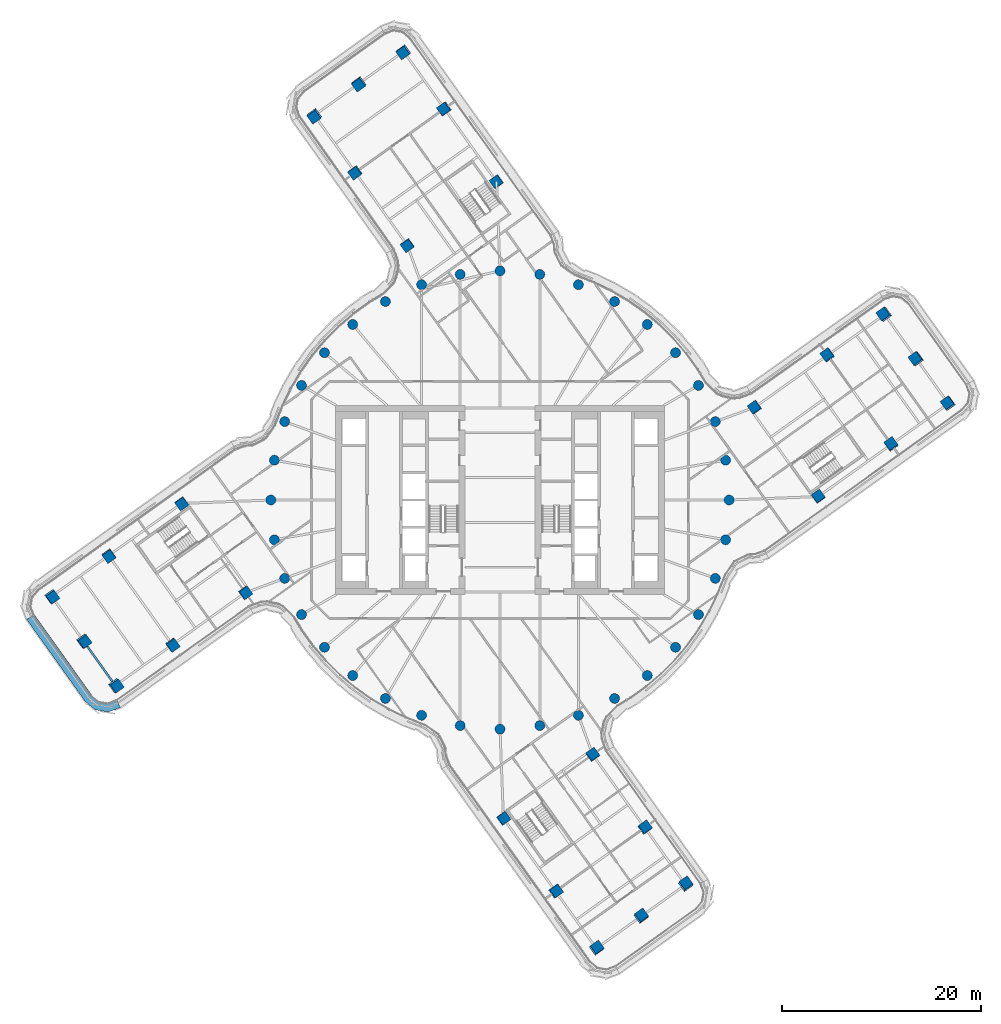
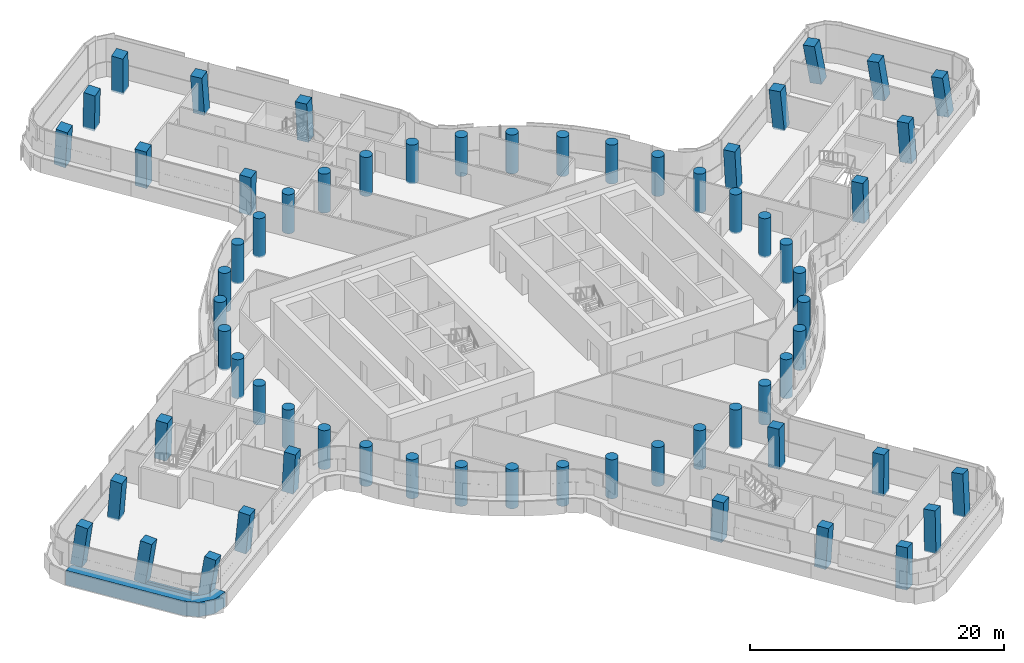
# One storey, part 1 of 31: 64 columns, 1 beam, 1 member, 1 element without a shape of its own.
"""IFC4 building model written with IfcOpenShell, lengths in metres."""

import ifcopenshell
import ifcopenshell.guid

model = None  # the IFC model being written
_history = None  # IfcOwnerHistory: only IFC2X3 demands one
_inside = {}  # id of a spatial element -> (the spatial element, [elements in it])
_under = {}  # id of a project, library or spatial element -> (it, [spatial elements below it])
_declared = {}  # id of a project -> (the project, [libraries it declares])
_typed = {}  # id of a type object -> (the type object, [elements of that type])
_made_of = {}  # id of a material, layer set ... -> (it, [elements and type objects made of it])


def new_model(schema):
    """Start an empty IFC model of exactly this schema.

    Asked for "IFC4X3", IfcOpenShell would pick the latest addendum, in which some entities
    have other attributes; the version numbers below select the first issue.
    IFC2X3 requires an IfcOwnerHistory on every rooted entity: one is made here for all.
    """
    global model, _history
    if schema == "IFC4X3":
        model = ifcopenshell.file(schema_version=(4, 3, 0, 0))
    else:
        model = ifcopenshell.file(schema=schema)
    _inside.clear()
    _under.clear()
    _declared.clear()
    _typed.clear()
    _made_of.clear()
    _history = None
    if model.schema == "IFC2X3":
        org = make("IfcOrganization", Name="unknown")
        user = make(
            "IfcPersonAndOrganization",
            ThePerson=make("IfcPerson", FamilyName="unknown"),
            TheOrganization=org,
        )
        app = make(
            "IfcApplication",
            ApplicationDeveloper=org,
            Version="unknown",
            ApplicationFullName="unknown",
            ApplicationIdentifier="unknown",
        )
        _history = make(
            "IfcOwnerHistory",
            OwningUser=user,
            OwningApplication=app,
            ChangeAction="ADDED",
            CreationDate=0,
        )
    return model


def make(cls, **values):
    """One entity of the class cls with the attributes given. An attribute that is None is left unset."""
    return model.create_entity(
        cls, **{name: value for name, value in values.items() if value is not None}
    )


def rooted(cls, **values):
    """An entity with a GlobalId (a new one), such as an element, a storey or a relation."""
    return make(cls, GlobalId=ifcopenshell.guid.new(), OwnerHistory=_history, **values)


def si_unit(unit_type, name, prefix=None):
    """IfcSIUnit, for example si_unit("LENGTHUNIT", "METRE", prefix="MILLI")."""
    return make("IfcSIUnit", UnitType=unit_type, Prefix=prefix, Name=name)


def assignment(units):
    """IfcUnitAssignment: the units of a project."""
    return None if units is None else make("IfcUnitAssignment", Units=units)


def point(xyz):
    """IfcCartesianPoint."""
    return None if xyz is None else make("IfcCartesianPoint", Coordinates=xyz)


def direction(xyz):
    """IfcDirection."""
    return None if xyz is None else make("IfcDirection", DirectionRatios=xyz)


def frame(location, z_axis=None, x_axis=None):
    """IfcAxis2Placement3D, a coordinate frame: its origin and axes. An axis left out is left unset."""
    return make(
        "IfcAxis2Placement3D",
        Location=point(location),
        Axis=direction(z_axis),
        RefDirection=direction(x_axis),
    )


def frame_2d(location, x_axis=None):
    """IfcAxis2Placement2D, a coordinate frame in the plane: its origin and x axis."""
    return make(
        "IfcAxis2Placement2D", Location=point(location), RefDirection=direction(x_axis)
    )


def origin():
    """The frame at (0, 0, 0) with its axes left unset."""
    return frame((0.0, 0.0, 0.0))


def origin_2d():
    """The frame at (0, 0) in the plane with its x axis left unset."""
    return frame_2d((0.0, 0.0))


def place(relative_to, where):
    """IfcLocalPlacement: puts the frame where relative to a parent placement (None: the world)."""
    return make(
        "IfcLocalPlacement", PlacementRelTo=relative_to, RelativePlacement=where
    )


def context(
    kind, dimensions, precision=None, world=None, true_north=None, identifier=None
):
    """IfcGeometricRepresentationContext, for example the 3D "Model" context."""
    return make(
        "IfcGeometricRepresentationContext",
        ContextIdentifier=identifier,
        ContextType=kind,
        CoordinateSpaceDimension=dimensions,
        Precision=precision,
        WorldCoordinateSystem=world,
        TrueNorth=true_north,
    )


def subcontext(parent, identifier, kind, view, scale=None):
    """IfcGeometricRepresentationSubContext, for example "Body" below "Model"."""
    return make(
        "IfcGeometricRepresentationSubContext",
        ContextIdentifier=identifier,
        ContextType=kind,
        ParentContext=parent,
        TargetScale=scale,
        TargetView=view,
    )


def project(units=None, contexts=None):
    """IfcProject with its units and contexts."""
    return rooted(
        "IfcProject",
        Name="project",
        RepresentationContexts=contexts,
        UnitsInContext=assignment(units),
    )


def spatial(cls, under=None, at=None, **own):
    """A site, building, storey or space (cls), placed at a placement, below another one or the project."""
    s = rooted(cls, ObjectPlacement=at, **own)
    if under is not None:
        _under.setdefault(under.id(), (under, []))[1].append(s)
    return s


def polyline(points):
    """IfcPolyline through the points."""
    return make("IfcPolyline", Points=[point(p) for p in points])


def profile(cls, at=None, kind="AREA", **sizes):
    """A parametric profile (cls). Its sizes go by their IFC names, for example OverallWidth=200.0."""
    return make(cls, ProfileType=kind, Position=at, **sizes)


def rectangle(**sizes):
    """IfcRectangleProfileDef."""
    return profile("IfcRectangleProfileDef", **sizes)


def circle(**sizes):
    """IfcCircleProfileDef."""
    return profile("IfcCircleProfileDef", **sizes)


def i_section(**sizes):
    """IfcIShapeProfileDef."""
    return profile("IfcIShapeProfileDef", **sizes)


def outline(outer, holes=None, kind="AREA"):
    """IfcArbitraryClosedProfileDef: a profile drawn as a closed curve; with holes, ...WithVoids."""
    if holes is None:
        return make("IfcArbitraryClosedProfileDef", ProfileType=kind, OuterCurve=outer)
    return make(
        "IfcArbitraryProfileDefWithVoids",
        ProfileType=kind,
        OuterCurve=outer,
        InnerCurves=holes,
    )


def extrude(swept, where, along, depth):
    """IfcExtrudedAreaSolid: the profile swept, set in the frame where, extruded along a direction by depth."""
    return make(
        "IfcExtrudedAreaSolid",
        SweptArea=swept,
        Position=where,
        ExtrudedDirection=direction(along),
        Depth=depth,
    )


def shape(context_of_items, identifier, shape_type, items):
    """IfcShapeRepresentation: the items that make up one representation, for example the "Body"."""
    return make(
        "IfcShapeRepresentation",
        ContextOfItems=context_of_items,
        RepresentationIdentifier=identifier,
        RepresentationType=shape_type,
        Items=items,
    )


def material(Name=None, Category=None):
    """IfcMaterial."""
    return make("IfcMaterial", Name=Name, Category=Category)


def layer(
    of_material, thickness, ventilated=None, Name=None, Category=None, Priority=None
):
    """IfcMaterialLayer: one layer of a wall or slab, of a material (None: an air gap)."""
    return make(
        "IfcMaterialLayer",
        Material=of_material,
        LayerThickness=thickness,
        IsVentilated=ventilated,
        Name=Name,
        Category=Category,
        Priority=Priority,
    )


def layer_set(layers, Name=None):
    """IfcMaterialLayerSet."""
    return make("IfcMaterialLayerSet", MaterialLayers=layers, LayerSetName=Name)


def material_profile(
    of_material, cross_section, Name=None, Category=None, Priority=None
):
    """IfcMaterialProfile: a cross section and its material."""
    return make(
        "IfcMaterialProfile",
        Name=Name,
        Material=of_material,
        Profile=cross_section,
        Priority=Priority,
        Category=Category,
    )


def profile_set(profiles, Name=None, composite=None):
    """IfcMaterialProfileSet."""
    return make(
        "IfcMaterialProfileSet",
        Name=Name,
        MaterialProfiles=profiles,
        CompositeProfile=composite,
    )


def made_of(thing, what):
    """Note that an element or type object is made of a material, layer set ...; save() writes the relation."""
    if what is not None:
        _made_of.setdefault(what.id(), (what, []))[1].append(thing)
    return thing


def type_object(cls, material=None, **own):
    """A type object (cls), such as IfcWallType, which elements share."""
    return made_of(rooted(cls, **own), material)


def element(
    cls,
    number,
    at=None,
    inside=None,
    cuts=None,
    type_object=None,
    material=None,
    context=None,
    identifier="Body",
    shape_type=None,
    held_by="IfcProductDefinitionShape",
    body=None,
    shapes=None,
    **own,
):
    """One element of the class cls, such as IfcWall. Its Tag is "e" and its number.

    at: its placement. inside: the storey or other place that contains it. cuts: it is an
    opening in that element (IfcRelVoidsElement). A single representation is given by context,
    identifier, shape_type and body (its items); several are given by shapes. held_by: the class
    of the entity that holds the representations. save() writes the other relations.
    """
    e = rooted(cls, Tag="e%d" % number, ObjectPlacement=at, **own)
    if body is not None:
        shapes = [shape(context, identifier, shape_type, body)]
    if shapes is not None:
        e.Representation = make(held_by, Representations=shapes)
    if inside is not None:
        _inside.setdefault(inside.id(), (inside, []))[1].append(e)
    if cuts is not None:
        rooted(
            "IfcRelVoidsElement", RelatingBuildingElement=cuts, RelatedOpeningElement=e
        )
    if type_object is not None:
        _typed.setdefault(type_object.id(), (type_object, []))[1].append(e)
    return made_of(e, material)


def aggregate(whole, parts):
    """IfcRelAggregates: a whole, such as a stair, and the parts it consists of."""
    return rooted("IfcRelAggregates", RelatingObject=whole, RelatedObjects=parts)


def save(model, path):
    """Write the relations noted so far, then the file.

    IfcRelAggregates (storeys below a building ...), IfcRelContainedInSpatialStructure (elements
    in a storey), IfcRelDefinesByType, IfcRelAssociatesMaterial and IfcRelDeclares: one each for
    every whole, place, type object, material and project.
    """
    for whole, parts in _under.values():
        aggregate(whole, parts)
    for where, things in _inside.values():
        rooted(
            "IfcRelContainedInSpatialStructure",
            RelatedElements=things,
            RelatingStructure=where,
        )
    for kind, things in _typed.values():
        rooted("IfcRelDefinesByType", RelatedObjects=things, RelatingType=kind)
    for what, things in _made_of.values():
        rooted("IfcRelAssociatesMaterial", RelatedObjects=things, RelatingMaterial=what)
    for by, libraries in _declared.values():
        rooted("IfcRelDeclares", RelatingContext=by, RelatedDefinitions=libraries)
    model.write(path)


model = new_model("IFC4")

# Units and contexts
model_context = context("Model", 3, precision=1e-05, world=origin(), true_north=direction((0.0, 1.0)))
body_context = subcontext(model_context, "Body", "Model", "MODEL_VIEW")
ifc_project = project(units=[si_unit("LENGTHUNIT", "METRE"), si_unit("AREAUNIT", "SQUARE_METRE"), si_unit("VOLUMEUNIT", "CUBIC_METRE"), si_unit("PLANEANGLEUNIT", "RADIAN"), si_unit("MASSUNIT", "GRAM", prefix="KILO")], contexts=[model_context])

# Site, building, storey
site_placement = place(None, origin())
site = spatial("IfcSite", under=ifc_project, at=site_placement, CompositionType="ELEMENT")
building_placement = place(site_placement, origin())
building = spatial("IfcBuilding", under=site, at=building_placement, Name="Tamarind Cross Interchange Tower", CompositionType="ELEMENT")
storey_placement = place(building_placement, frame((0.0, 0.0, 163.0)))
storey = spatial("IfcBuildingStorey", under=building, at=storey_placement, Name="L40", CompositionType="ELEMENT", Elevation=163.0)

# Columns
ifc_material_1 = material(Name="Concrete C60", Category="concrete")
ifc_material_profile_1 = material_profile(ifc_material_1, rectangle(XDim=1.0, YDim=1.0, at=origin_2d()), Name="RC 1000x1000")
ifc_profile_set_1 = profile_set([ifc_material_profile_1], Name="Concrete C60")
column_type_1 = type_object("IfcColumnType", Name="Column RC 1000x1000 Concrete C60", PredefinedType="COLUMN", material=ifc_profile_set_1)
for number, where, z_axis, x_axis, name in (
    (1, (32.88427734375, 14.5283203125, -0.138427734375), (-0.070813721979, 0.052055549979, 0.996130331079), (0.578043529555, -0.811721357001, 0.083511176064), "Column L40-036"),
    (2, (39.27587890625, 5.57568359375, -0.138427734375), (-0.027780214497, 0.083405550533, 0.996128392238), (-0.814114333122, -0.580128094967, 0.025869790021), "Column L40-037"),
):
    element("IfcColumn", number, at=place(storey_placement, frame(where, z_axis=z_axis, x_axis=x_axis)), inside=storey, type_object=column_type_1, Name=name, PredefinedType="COLUMN", context=body_context, shape_type="SweptSolid", body=[
        extrude(rectangle(XDim=1.0, YDim=1.0, at=origin_2d()), origin(), (0.0, 0.0, 1.0), 3.761474609375),
    ])
for number, where, z_axis, x_axis, name in (
    (3, (25.5595703125, 9.298828125, -0.138671875), (-0.045356883654, 0.016919354017, 0.998827556971), (0.579654184092, -0.813874885655, 0.040108569717), "Column L40-038"),
    (4, (31.950927734375, 0.34619140625, -0.138671875), (-0.002147457704, 0.04835033557, 0.998828130098), (-0.813624962076, -0.580791958931, 0.026365157452), "Column L40-039"),
):
    element("IfcColumn", number, at=place(storey_placement, frame(where, z_axis=z_axis, x_axis=x_axis)), inside=storey, type_object=column_type_1, Name=name, PredefinedType="COLUMN", context=body_context, shape_type="SweptSolid", body=[
        extrude(rectangle(XDim=1.0, YDim=1.0, at=origin_2d()), origin(), (0.0, 0.0, 1.0), 3.751708984375),
    ])
column_1_placement = place(storey_placement, frame((45.0087890625, 9.668701171875, -0.137939453125), z_axis=(-0.105136576826, 0.067892623411, 0.992137536786), x_axis=(0.574830004722, -0.8099600656, 0.116340697117)))
element("IfcColumn", 5, at=column_1_placement, inside=storey, type_object=column_type_1, Name="Column L40-040", PredefinedType="COLUMN", context=body_context, shape_type="SweptSolid", body=[
    extrude(rectangle(XDim=1.0, YDim=1.0, at=origin_2d()), origin(), (0.0, 0.0, 1.0), 3.77587890625),
])
column_2_placement = place(storey_placement, frame((41.813232421875, 14.14501953125, -0.137939453125), z_axis=(-0.126479734924, 0.052167241357, 0.990596515027), x_axis=(0.574013300302, -0.810591048044, 0.115977945781)))
element("IfcColumn", 6, at=column_2_placement, inside=storey, type_object=column_type_1, Name="Column L40-041", PredefinedType="COLUMN", context=body_context, shape_type="SweptSolid", body=[
    extrude(rectangle(XDim=1.0, YDim=1.0, at=origin_2d()), origin(), (0.0, 0.0, 1.0), 3.781494140625),
])
column_3_placement = place(storey_placement, frame((38.617431640625, 18.621337890625, -0.1376953125), z_axis=(-0.147529451739, 0.036528034557, 0.988382903313), x_axis=(0.572538563256, -0.811707534397, 0.11545766405)))
element("IfcColumn", 7, at=column_3_placement, inside=storey, type_object=column_type_1, Name="Column L40-042", PredefinedType="COLUMN", context=body_context, shape_type="SweptSolid", body=[
    extrude(rectangle(XDim=1.0, YDim=1.0, at=origin_2d()), origin(), (0.0, 0.0, 1.0), 3.78955078125),
])
for number, where, z_axis, x_axis, name in (
    (8, (-14.5283203125, 32.88427734375, -0.138427734375), (-0.052055549979, -0.070813721979, 0.996130331079), (0.811721357001, 0.578043529555, 0.083511176064), "Column L40-043"),
    (9, (-5.57568359375, 39.27587890625, -0.138427734375), (-0.083405550533, -0.027780214497, 0.996128392238), (0.580128094967, -0.814114333122, 0.025869790021), "Column L40-044"),
):
    element("IfcColumn", number, at=place(storey_placement, frame(where, z_axis=z_axis, x_axis=x_axis)), inside=storey, type_object=column_type_1, Name=name, PredefinedType="COLUMN", context=body_context, shape_type="SweptSolid", body=[
        extrude(rectangle(XDim=1.0, YDim=1.0, at=origin_2d()), origin(), (0.0, 0.0, 1.0), 3.761474609375),
    ])
for number, where, z_axis, x_axis, name in (
    (10, (-9.298828125, 25.5595703125, -0.138671875), (-0.016919354017, -0.045356883654, 0.998827556971), (0.813874885655, 0.579654184092, 0.040108569717), "Column L40-045"),
    (11, (-0.34619140625, 31.950927734375, -0.138671875), (-0.04835033557, -0.002147457704, 0.998828130098), (0.580791958931, -0.813624962076, 0.026365157452), "Column L40-046"),
):
    element("IfcColumn", number, at=place(storey_placement, frame(where, z_axis=z_axis, x_axis=x_axis)), inside=storey, type_object=column_type_1, Name=name, PredefinedType="COLUMN", context=body_context, shape_type="SweptSolid", body=[
        extrude(rectangle(XDim=1.0, YDim=1.0, at=origin_2d()), origin(), (0.0, 0.0, 1.0), 3.751708984375),
    ])
column_4_placement = place(storey_placement, frame((-9.668701171875, 45.0087890625, -0.137939453125), z_axis=(-0.067892623411, -0.105136576826, 0.992137536786), x_axis=(0.8099600656, 0.574830004722, 0.116340697117)))
element("IfcColumn", 12, at=column_4_placement, inside=storey, type_object=column_type_1, Name="Column L40-047", PredefinedType="COLUMN", context=body_context, shape_type="SweptSolid", body=[
    extrude(rectangle(XDim=1.0, YDim=1.0, at=origin_2d()), origin(), (0.0, 0.0, 1.0), 3.77587890625),
])
column_5_placement = place(storey_placement, frame((-14.14501953125, 41.813232421875, -0.137939453125), z_axis=(-0.052167241357, -0.126479734924, 0.990596515027), x_axis=(0.810591048044, 0.574013300302, 0.115977945781)))
element("IfcColumn", 13, at=column_5_placement, inside=storey, type_object=column_type_1, Name="Column L40-048", PredefinedType="COLUMN", context=body_context, shape_type="SweptSolid", body=[
    extrude(rectangle(XDim=1.0, YDim=1.0, at=origin_2d()), origin(), (0.0, 0.0, 1.0), 3.781494140625),
])
column_6_placement = place(storey_placement, frame((-18.621337890625, 38.617431640625, -0.1376953125), z_axis=(-0.036528034557, -0.147529451739, 0.988382903313), x_axis=(0.811707534397, 0.572538563256, 0.11545766405)))
element("IfcColumn", 14, at=column_6_placement, inside=storey, type_object=column_type_1, Name="Column L40-049", PredefinedType="COLUMN", context=body_context, shape_type="SweptSolid", body=[
    extrude(rectangle(XDim=1.0, YDim=1.0, at=origin_2d()), origin(), (0.0, 0.0, 1.0), 3.78955078125),
])
for number, where, z_axis, x_axis, name in (
    (15, (-32.88427734375, -14.5283203125, -0.138427734375), (0.070813721979, -0.052055549979, 0.996130331079), (-0.578043529555, 0.811721357001, 0.083511176064), "Column L40-050"),
    (16, (-39.27587890625, -5.57568359375, -0.138427734375), (0.027780214497, -0.083405550533, 0.996128392238), (0.814114333122, 0.580128094967, 0.025869790021), "Column L40-051"),
):
    element("IfcColumn", number, at=place(storey_placement, frame(where, z_axis=z_axis, x_axis=x_axis)), inside=storey, type_object=column_type_1, Name=name, PredefinedType="COLUMN", context=body_context, shape_type="SweptSolid", body=[
        extrude(rectangle(XDim=1.0, YDim=1.0, at=origin_2d()), origin(), (0.0, 0.0, 1.0), 3.761474609375),
    ])
for number, where, z_axis, x_axis, name in (
    (17, (-25.5595703125, -9.298828125, -0.138671875), (0.045356883654, -0.016919354017, 0.998827556971), (-0.579654184092, 0.813874885655, 0.040108569717), "Column L40-052"),
    (18, (-31.950927734375, -0.34619140625, -0.138671875), (0.002147457704, -0.04835033557, 0.998828130098), (0.813624962076, 0.580791958931, 0.026365157452), "Column L40-053"),
):
    element("IfcColumn", number, at=place(storey_placement, frame(where, z_axis=z_axis, x_axis=x_axis)), inside=storey, type_object=column_type_1, Name=name, PredefinedType="COLUMN", context=body_context, shape_type="SweptSolid", body=[
        extrude(rectangle(XDim=1.0, YDim=1.0, at=origin_2d()), origin(), (0.0, 0.0, 1.0), 3.751708984375),
    ])
column_7_placement = place(storey_placement, frame((-45.0087890625, -9.668701171875, -0.137939453125), z_axis=(0.105136576826, -0.067892623411, 0.992137536786), x_axis=(-0.574830004722, 0.8099600656, 0.116340697117)))
element("IfcColumn", 19, at=column_7_placement, inside=storey, type_object=column_type_1, Name="Column L40-054", PredefinedType="COLUMN", context=body_context, shape_type="SweptSolid", body=[
    extrude(rectangle(XDim=1.0, YDim=1.0, at=origin_2d()), origin(), (0.0, 0.0, 1.0), 3.77587890625),
])
column_8_placement = place(storey_placement, frame((-41.813232421875, -14.14501953125, -0.137939453125), z_axis=(0.126479734924, -0.052167241357, 0.990596515027), x_axis=(-0.574013300302, 0.810591048044, 0.115977945781)))
element("IfcColumn", 20, at=column_8_placement, inside=storey, type_object=column_type_1, Name="Column L40-055", PredefinedType="COLUMN", context=body_context, shape_type="SweptSolid", body=[
    extrude(rectangle(XDim=1.0, YDim=1.0, at=origin_2d()), origin(), (0.0, 0.0, 1.0), 3.781494140625),
])
column_9_placement = place(storey_placement, frame((-38.617431640625, -18.621337890625, -0.1376953125), z_axis=(0.147529451739, -0.036528034557, 0.988382903313), x_axis=(-0.572538563256, 0.811707534397, 0.11545766405)))
element("IfcColumn", 21, at=column_9_placement, inside=storey, type_object=column_type_1, Name="Column L40-056", PredefinedType="COLUMN", context=body_context, shape_type="SweptSolid", body=[
    extrude(rectangle(XDim=1.0, YDim=1.0, at=origin_2d()), origin(), (0.0, 0.0, 1.0), 3.78955078125),
])
for number, where, z_axis, x_axis, name in (
    (22, (14.5283203125, -32.88427734375, -0.138427734375), (0.052055549979, 0.070813721979, 0.996130331079), (-0.811721357001, -0.578043529555, 0.083511176064), "Column L40-057"),
    (23, (5.57568359375, -39.27587890625, -0.138427734375), (0.083405550533, 0.027780214497, 0.996128392238), (-0.580128094967, 0.814114333122, 0.025869790021), "Column L40-058"),
):
    element("IfcColumn", number, at=place(storey_placement, frame(where, z_axis=z_axis, x_axis=x_axis)), inside=storey, type_object=column_type_1, Name=name, PredefinedType="COLUMN", context=body_context, shape_type="SweptSolid", body=[
        extrude(rectangle(XDim=1.0, YDim=1.0, at=origin_2d()), origin(), (0.0, 0.0, 1.0), 3.761474609375),
    ])
for number, where, z_axis, x_axis, name in (
    (24, (9.298828125, -25.5595703125, -0.138671875), (0.016919354017, 0.045356883654, 0.998827556971), (-0.813874885655, -0.579654184092, 0.040108569717), "Column L40-059"),
    (25, (0.34619140625, -31.950927734375, -0.138671875), (0.04835033557, 0.002147457704, 0.998828130098), (-0.580791958931, 0.813624962076, 0.026365157452), "Column L40-060"),
):
    element("IfcColumn", number, at=place(storey_placement, frame(where, z_axis=z_axis, x_axis=x_axis)), inside=storey, type_object=column_type_1, Name=name, PredefinedType="COLUMN", context=body_context, shape_type="SweptSolid", body=[
        extrude(rectangle(XDim=1.0, YDim=1.0, at=origin_2d()), origin(), (0.0, 0.0, 1.0), 3.751708984375),
    ])
column_10_placement = place(storey_placement, frame((9.668701171875, -45.0087890625, -0.137939453125), z_axis=(0.067892623411, 0.105136576826, 0.992137536786), x_axis=(-0.8099600656, -0.574830004722, 0.116340697117)))
element("IfcColumn", 26, at=column_10_placement, inside=storey, type_object=column_type_1, Name="Column L40-061", PredefinedType="COLUMN", context=body_context, shape_type="SweptSolid", body=[
    extrude(rectangle(XDim=1.0, YDim=1.0, at=origin_2d()), origin(), (0.0, 0.0, 1.0), 3.77587890625),
])
column_11_placement = place(storey_placement, frame((14.14501953125, -41.813232421875, -0.137939453125), z_axis=(0.052167241357, 0.126479734924, 0.990596515027), x_axis=(-0.810591048044, -0.574013300302, 0.115977945781)))
element("IfcColumn", 27, at=column_11_placement, inside=storey, type_object=column_type_1, Name="Column L40-062", PredefinedType="COLUMN", context=body_context, shape_type="SweptSolid", body=[
    extrude(rectangle(XDim=1.0, YDim=1.0, at=origin_2d()), origin(), (0.0, 0.0, 1.0), 3.781494140625),
])
column_12_placement = place(storey_placement, frame((18.621337890625, -38.617431640625, -0.1376953125), z_axis=(0.036528034557, 0.147529451739, 0.988382903313), x_axis=(-0.811707534397, -0.572538563256, 0.11545766405)))
element("IfcColumn", 28, at=column_12_placement, inside=storey, type_object=column_type_1, Name="Column L40-063", PredefinedType="COLUMN", context=body_context, shape_type="SweptSolid", body=[
    extrude(rectangle(XDim=1.0, YDim=1.0, at=origin_2d()), origin(), (0.0, 0.0, 1.0), 3.78955078125),
])
ifc_material_profile_2 = material_profile(ifc_material_1, circle(Radius=0.5, at=origin_2d()), Name="RC D1000")
ifc_profile_set_2 = profile_set([ifc_material_profile_2], Name="Concrete C60")
column_type_2 = type_object("IfcColumnType", Name="Column RC D1000 Concrete C60", PredefinedType="COLUMN", material=ifc_profile_set_2)
for number, where, z_axis, x_axis, name in (
    (29, (23.0, 0.0, -0.139892578125), (0.0, 0.0, 1.0), (1.0, 0.0, 0.0), "Column L40-000"),
    (30, (22.650634765625, 3.993896484375, -0.139892578125), (0.0, 0.0, 1.0), (1.0, 0.0, 0.0), "Column L40-001"),
    (31, (21.613037109375, 7.866455078125, -0.139892578125), (0.0, 0.0, 1.0), (1.0, 0.0, 0.0), "Column L40-002"),
    (32, (19.918701171875, 11.5, -0.139892578125), (0.0, 0.0, 1.0), (1.0, 0.0, 0.0), "Column L40-003"),
    (33, (17.619140625, 14.7841796875, -0.139892578125), (0.0, 0.0, 1.0), (1.0, 0.0, 0.0), "Column L40-004"),
    (34, (14.7841796875, 17.619140625, -0.139892578125), (0.0, 0.0, 1.0), (1.0, 0.0, 0.0), "Column L40-005"),
    (35, (11.5, 19.918701171875, -0.139892578125), (0.0, 0.0, 1.0), (1.0, 0.0, 0.0), "Column L40-006"),
    (36, (7.866455078125, 21.613037109375, -0.139892578125), (0.0, 0.0, 1.0), (1.0, 0.0, 0.0), "Column L40-007"),
    (37, (3.993896484375, 22.650634765625, -0.139892578125), (0.0, 0.0, 1.0), (1.0, 0.0, 0.0), "Column L40-008"),
    (38, (0.0, 23.0, -0.139892578125), (0.0, 0.0, 1.0), (1.0, 0.0, 0.0), "Column L40-009"),
    (39, (-3.993896484375, 22.650634765625, -0.139892578125), (0.0, 0.0, 1.0), (1.0, 0.0, 0.0), "Column L40-010"),
    (40, (-7.866455078125, 21.613037109375, -0.139892578125), (0.0, 0.0, 1.0), (1.0, 0.0, 0.0), "Column L40-011"),
    (41, (-11.5, 19.918701171875, -0.139892578125), (0.0, 0.0, 1.0), (1.0, 0.0, 0.0), "Column L40-012"),
    (42, (-14.7841796875, 17.619140625, -0.139892578125), (0.0, 0.0, 1.0), (1.0, 0.0, 0.0), "Column L40-013"),
    (43, (-17.619140625, 14.7841796875, -0.139892578125), (0.0, 0.0, 1.0), (1.0, 0.0, 0.0), "Column L40-014"),
    (44, (-19.918701171875, 11.5, -0.139892578125), (0.0, 0.0, 1.0), (1.0, 0.0, 0.0), "Column L40-015"),
    (45, (-21.613037109375, 7.866455078125, -0.139892578125), (0.0, 0.0, 1.0), (1.0, 0.0, 0.0), "Column L40-016"),
    (46, (-22.650634765625, 3.993896484375, -0.139892578125), (0.0, 0.0, 1.0), (1.0, 0.0, 0.0), "Column L40-017"),
    (47, (-23.0, 0.0, -0.139892578125), (0.0, 0.0, 1.0), (1.0, 0.0, 0.0), "Column L40-018"),
    (48, (-22.650634765625, -3.993896484375, -0.139892578125), (0.0, 0.0, 1.0), (1.0, 0.0, 0.0), "Column L40-019"),
    (49, (-21.613037109375, -7.866455078125, -0.139892578125), (0.0, 0.0, 1.0), (1.0, 0.0, 0.0), "Column L40-020"),
    (50, (-19.918701171875, -11.5, -0.139892578125), (0.0, 0.0, 1.0), (1.0, 0.0, 0.0), "Column L40-021"),
    (51, (-17.619140625, -14.7841796875, -0.139892578125), (0.0, 0.0, 1.0), (1.0, 0.0, 0.0), "Column L40-022"),
    (52, (-14.7841796875, -17.619140625, -0.139892578125), (0.0, 0.0, 1.0), (1.0, 0.0, 0.0), "Column L40-023"),
    (53, (-11.5, -19.918701171875, -0.139892578125), (0.0, 0.0, 1.0), (1.0, 0.0, 0.0), "Column L40-024"),
    (54, (-7.866455078125, -21.613037109375, -0.139892578125), (0.0, 0.0, 1.0), (1.0, 0.0, 0.0), "Column L40-025"),
    (55, (-3.993896484375, -22.650634765625, -0.139892578125), (0.0, 0.0, 1.0), (1.0, 0.0, 0.0), "Column L40-026"),
    (56, (0.0, -23.0, -0.139892578125), (0.0, 0.0, 1.0), (1.0, 0.0, 0.0), "Column L40-027"),
    (57, (3.993896484375, -22.650634765625, -0.139892578125), (0.0, 0.0, 1.0), (1.0, 0.0, 0.0), "Column L40-028"),
    (58, (7.866455078125, -21.613037109375, -0.139892578125), (0.0, 0.0, 1.0), (1.0, 0.0, 0.0), "Column L40-029"),
    (59, (11.5, -19.918701171875, -0.139892578125), (0.0, 0.0, 1.0), (1.0, 0.0, 0.0), "Column L40-030"),
    (60, (14.7841796875, -17.619140625, -0.139892578125), (0.0, 0.0, 1.0), (1.0, 0.0, 0.0), "Column L40-031"),
    (61, (17.619140625, -14.7841796875, -0.139892578125), (0.0, 0.0, 1.0), (1.0, 0.0, 0.0), "Column L40-032"),
    (62, (19.918701171875, -11.5, -0.139892578125), (0.0, 0.0, 1.0), (1.0, 0.0, 0.0), "Column L40-033"),
    (63, (21.613037109375, -7.866455078125, -0.139892578125), (0.0, 0.0, 1.0), (1.0, 0.0, 0.0), "Column L40-034"),
    (64, (22.650634765625, -3.993896484375, -0.139892578125), (0.0, 0.0, 1.0), (1.0, 0.0, 0.0), "Column L40-035"),
):
    element("IfcColumn", number, at=place(storey_placement, frame(where, z_axis=z_axis, x_axis=x_axis)), inside=storey, type_object=column_type_2, Name=name, PredefinedType="COLUMN", context=body_context, shape_type="SweptSolid", body=[
        extrude(circle(Radius=0.5, at=origin_2d()), origin(), (0.0, 0.0, 1.0), 3.75),
    ])

# Beam
ifc_material_2 = material(Name="Steel Q355B", Category="steel")
ifc_material_profile_3 = material_profile(ifc_material_2, i_section(OverallWidth=0.199951171875, OverallDepth=0.60009765625, WebThickness=0.010986328125, FlangeThickness=0.01708984375, FilletRadius=0.012939453125, at=origin_2d()), Name="HN 600x200x11x17")
ifc_profile_set_3 = profile_set([ifc_material_profile_3], Name="Steel Q355B")
beam_type = type_object("IfcBeamType", Name="Composite beam HN 600x200x11x17 Q355B", PredefinedType="BEAM", material=ifc_profile_set_3)
beam_placement = place(storey_placement, frame((-41.8134765625, -14.144775390625, -0.43994140625), z_axis=(0.581049225779, -0.813868415176, 0.0), x_axis=(0.813868415176, 0.581049225779, 0.0)))
element("IfcBeam", 65, at=beam_placement, inside=storey, type_object=beam_type, Name="Beam W-tip1", PredefinedType="BEAM", context=body_context, shape_type="SweptSolid", body=[
    extrude(i_section(OverallWidth=0.199951171875, OverallDepth=0.60009765625, WebThickness=0.010986328125, FlangeThickness=0.01708984375, FilletRadius=0.012939453125, at=origin_2d()), origin(), (0.0, 0.0, 1.0), 5.5),
])

# Curtain wall, member
ifc_material_3 = material(Name="Aluminium 6063-T6", Category="aluminium")
ifc_layer = layer(ifc_material_3, 0.159912109375)
ifc_layer_set = layer_set([ifc_layer], Name="Aluminium 6063-T6")
curtain_wall_type = type_object("IfcCurtainWallType", Name="Office curtain wall, 9.0 m bays", PredefinedType="NOTDEFINED", material=ifc_layer_set)
curtain_wall_placement = place(storey_placement, origin())
curtain_wall = element("IfcCurtainWall", 66, at=curtain_wall_placement, inside=storey, type_object=curtain_wall_type, Name="CWS-L40-12", PredefinedType="NOTDEFINED")
ifc_material_4 = material(Name="Aluminium and insulated spandrel panel", Category="aluminium")
member_type = type_object("IfcMemberType", Name="Floor-edge blade transom", PredefinedType="USERDEFINED", material=ifc_material_4)
member_placement = place(storey_placement, origin())
member = element("IfcMember", 67, at=member_placement, type_object=member_type, Name="CWT-L40-12", ObjectType="TRANSOM", PredefinedType="USERDEFINED", context=body_context, shape_type="SweptSolid", body=[
    extrude(outline(polyline([(-46.716064453125, -11.550048828125), (-40.95166015625, -19.62451171875), (-40.2451171875, -20.20654296875), (-39.382568359375, -20.3505859375), (-38.52490234375, -20.029541015625), (-38.099365234375, -20.8310546875), (-39.292724609375, -21.27783203125), (-40.631103515625, -21.054443359375), (-41.615234375, -20.243896484375), (-47.517333984375, -11.9765625), (-46.716064453125, -11.550048828125)])), origin(), (0.0, 0.0, 1.0), 1.39990234375),
])
aggregate(curtain_wall, [member])

save(model, "model.ifc")
